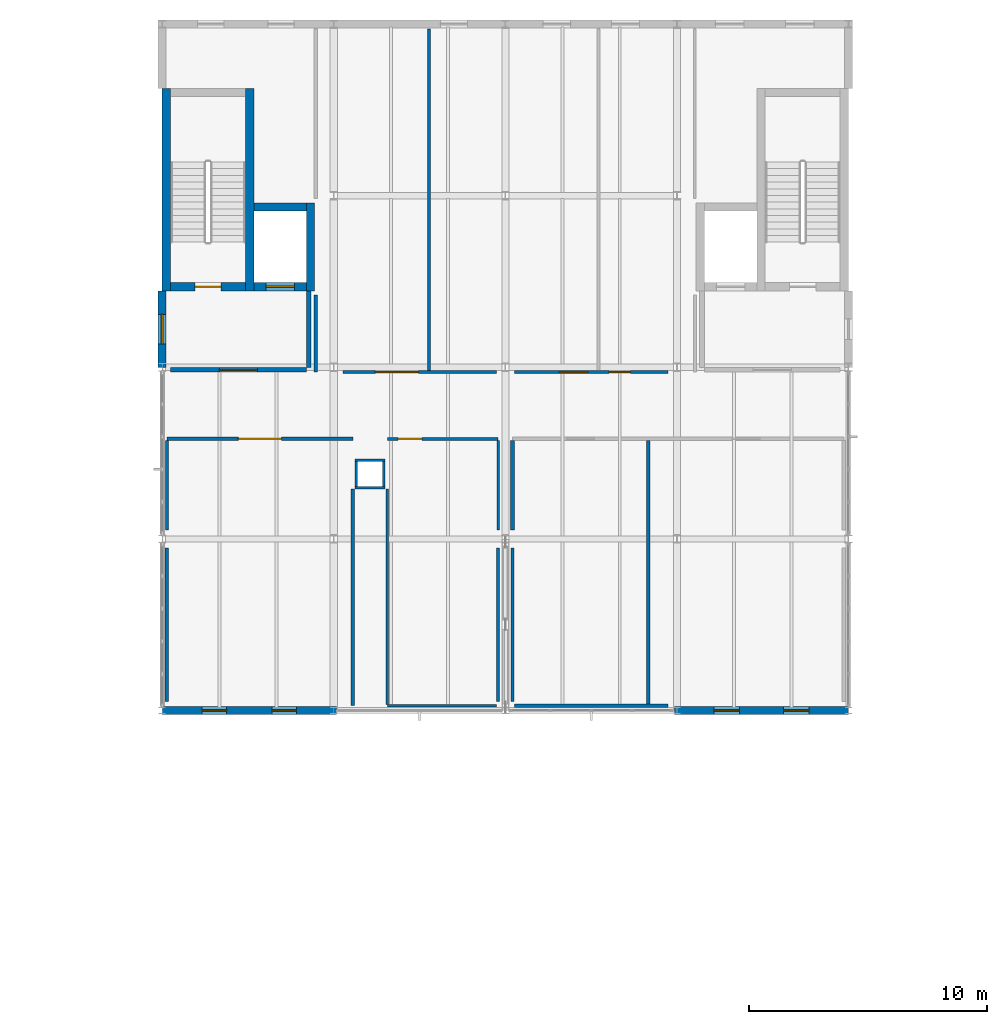
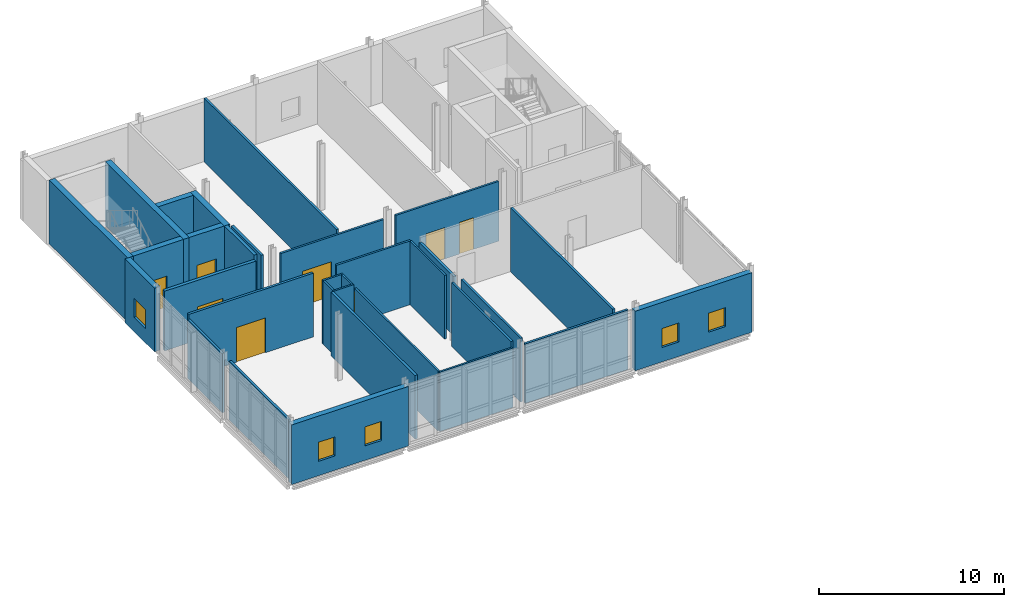
# One storey, part 35 of 43: 32 walls, 8 doors, 5 windows, 13 openings.
"""IFC4 building model written with IfcOpenShell, lengths in metres."""

import ifcopenshell
import ifcopenshell.guid

model = None  # the IFC model being written
_history = None  # IfcOwnerHistory: only IFC2X3 demands one
_inside = {}  # id of a spatial element -> (the spatial element, [elements in it])
_under = {}  # id of a project, library or spatial element -> (it, [spatial elements below it])
_declared = {}  # id of a project -> (the project, [libraries it declares])
_typed = {}  # id of a type object -> (the type object, [elements of that type])
_made_of = {}  # id of a material, layer set ... -> (it, [elements and type objects made of it])


def new_model(schema):
    """Start an empty IFC model of exactly this schema.

    Asked for "IFC4X3", IfcOpenShell would pick the latest addendum, in which some entities
    have other attributes; the version numbers below select the first issue.
    IFC2X3 requires an IfcOwnerHistory on every rooted entity: one is made here for all.
    """
    global model, _history
    if schema == "IFC4X3":
        model = ifcopenshell.file(schema_version=(4, 3, 0, 0))
    else:
        model = ifcopenshell.file(schema=schema)
    _inside.clear()
    _under.clear()
    _declared.clear()
    _typed.clear()
    _made_of.clear()
    _history = None
    if model.schema == "IFC2X3":
        org = make("IfcOrganization", Name="unknown")
        user = make(
            "IfcPersonAndOrganization",
            ThePerson=make("IfcPerson", FamilyName="unknown"),
            TheOrganization=org,
        )
        app = make(
            "IfcApplication",
            ApplicationDeveloper=org,
            Version="unknown",
            ApplicationFullName="unknown",
            ApplicationIdentifier="unknown",
        )
        _history = make(
            "IfcOwnerHistory",
            OwningUser=user,
            OwningApplication=app,
            ChangeAction="ADDED",
            CreationDate=0,
        )
    return model


def make(cls, **values):
    """One entity of the class cls with the attributes given. An attribute that is None is left unset."""
    return model.create_entity(
        cls, **{name: value for name, value in values.items() if value is not None}
    )


def rooted(cls, **values):
    """An entity with a GlobalId (a new one), such as an element, a storey or a relation."""
    return make(cls, GlobalId=ifcopenshell.guid.new(), OwnerHistory=_history, **values)


def si_unit(unit_type, name, prefix=None):
    """IfcSIUnit, for example si_unit("LENGTHUNIT", "METRE", prefix="MILLI")."""
    return make("IfcSIUnit", UnitType=unit_type, Prefix=prefix, Name=name)


def assignment(units):
    """IfcUnitAssignment: the units of a project."""
    return None if units is None else make("IfcUnitAssignment", Units=units)


def point(xyz):
    """IfcCartesianPoint."""
    return None if xyz is None else make("IfcCartesianPoint", Coordinates=xyz)


def direction(xyz):
    """IfcDirection."""
    return None if xyz is None else make("IfcDirection", DirectionRatios=xyz)


def frame(location, z_axis=None, x_axis=None):
    """IfcAxis2Placement3D, a coordinate frame: its origin and axes. An axis left out is left unset."""
    return make(
        "IfcAxis2Placement3D",
        Location=point(location),
        Axis=direction(z_axis),
        RefDirection=direction(x_axis),
    )


def frame_2d(location, x_axis=None):
    """IfcAxis2Placement2D, a coordinate frame in the plane: its origin and x axis."""
    return make(
        "IfcAxis2Placement2D", Location=point(location), RefDirection=direction(x_axis)
    )


def origin():
    """The frame at (0, 0, 0) with its axes left unset."""
    return frame((0.0, 0.0, 0.0))


def place(relative_to, where):
    """IfcLocalPlacement: puts the frame where relative to a parent placement (None: the world)."""
    return make(
        "IfcLocalPlacement", PlacementRelTo=relative_to, RelativePlacement=where
    )


def context(
    kind, dimensions, precision=None, world=None, true_north=None, identifier=None
):
    """IfcGeometricRepresentationContext, for example the 3D "Model" context."""
    return make(
        "IfcGeometricRepresentationContext",
        ContextIdentifier=identifier,
        ContextType=kind,
        CoordinateSpaceDimension=dimensions,
        Precision=precision,
        WorldCoordinateSystem=world,
        TrueNorth=true_north,
    )


def subcontext(parent, identifier, kind, view, scale=None):
    """IfcGeometricRepresentationSubContext, for example "Body" below "Model"."""
    return make(
        "IfcGeometricRepresentationSubContext",
        ContextIdentifier=identifier,
        ContextType=kind,
        ParentContext=parent,
        TargetScale=scale,
        TargetView=view,
    )


def project(units=None, contexts=None):
    """IfcProject with its units and contexts."""
    return rooted(
        "IfcProject",
        Name="project",
        RepresentationContexts=contexts,
        UnitsInContext=assignment(units),
    )


def spatial(cls, under=None, at=None, **own):
    """A site, building, storey or space (cls), placed at a placement, below another one or the project."""
    s = rooted(cls, ObjectPlacement=at, **own)
    if under is not None:
        _under.setdefault(under.id(), (under, []))[1].append(s)
    return s


def profile(cls, at=None, kind="AREA", **sizes):
    """A parametric profile (cls). Its sizes go by their IFC names, for example OverallWidth=200.0."""
    return make(cls, ProfileType=kind, Position=at, **sizes)


def rectangle(**sizes):
    """IfcRectangleProfileDef."""
    return profile("IfcRectangleProfileDef", **sizes)


def extrude(swept, where, along, depth):
    """IfcExtrudedAreaSolid: the profile swept, set in the frame where, extruded along a direction by depth."""
    return make(
        "IfcExtrudedAreaSolid",
        SweptArea=swept,
        Position=where,
        ExtrudedDirection=direction(along),
        Depth=depth,
    )


def shape(context_of_items, identifier, shape_type, items):
    """IfcShapeRepresentation: the items that make up one representation, for example the "Body"."""
    return make(
        "IfcShapeRepresentation",
        ContextOfItems=context_of_items,
        RepresentationIdentifier=identifier,
        RepresentationType=shape_type,
        Items=items,
    )


def material(Name=None, Category=None):
    """IfcMaterial."""
    return make("IfcMaterial", Name=Name, Category=Category)


def layer(
    of_material, thickness, ventilated=None, Name=None, Category=None, Priority=None
):
    """IfcMaterialLayer: one layer of a wall or slab, of a material (None: an air gap)."""
    return make(
        "IfcMaterialLayer",
        Material=of_material,
        LayerThickness=thickness,
        IsVentilated=ventilated,
        Name=Name,
        Category=Category,
        Priority=Priority,
    )


def layer_set(layers, Name=None):
    """IfcMaterialLayerSet."""
    return make("IfcMaterialLayerSet", MaterialLayers=layers, LayerSetName=Name)


def made_of(thing, what):
    """Note that an element or type object is made of a material, layer set ...; save() writes the relation."""
    if what is not None:
        _made_of.setdefault(what.id(), (what, []))[1].append(thing)
    return thing


def type_object(cls, material=None, **own):
    """A type object (cls), such as IfcWallType, which elements share."""
    return made_of(rooted(cls, **own), material)


def element(
    cls,
    number,
    at=None,
    inside=None,
    cuts=None,
    type_object=None,
    material=None,
    context=None,
    identifier="Body",
    shape_type=None,
    held_by="IfcProductDefinitionShape",
    body=None,
    shapes=None,
    **own,
):
    """One element of the class cls, such as IfcWall. Its Tag is "e" and its number.

    at: its placement. inside: the storey or other place that contains it. cuts: it is an
    opening in that element (IfcRelVoidsElement). A single representation is given by context,
    identifier, shape_type and body (its items); several are given by shapes. held_by: the class
    of the entity that holds the representations. save() writes the other relations.
    """
    e = rooted(cls, Tag="e%d" % number, ObjectPlacement=at, **own)
    if body is not None:
        shapes = [shape(context, identifier, shape_type, body)]
    if shapes is not None:
        e.Representation = make(held_by, Representations=shapes)
    if inside is not None:
        _inside.setdefault(inside.id(), (inside, []))[1].append(e)
    if cuts is not None:
        rooted(
            "IfcRelVoidsElement", RelatingBuildingElement=cuts, RelatedOpeningElement=e
        )
    if type_object is not None:
        _typed.setdefault(type_object.id(), (type_object, []))[1].append(e)
    return made_of(e, material)


def fill(opening, filler):
    """IfcRelFillsElement: the door or window that sits in an opening."""
    return rooted(
        "IfcRelFillsElement",
        RelatingOpeningElement=opening,
        RelatedBuildingElement=filler,
    )


def aggregate(whole, parts):
    """IfcRelAggregates: a whole, such as a stair, and the parts it consists of."""
    return rooted("IfcRelAggregates", RelatingObject=whole, RelatedObjects=parts)


def save(model, path):
    """Write the relations noted so far, then the file.

    IfcRelAggregates (storeys below a building ...), IfcRelContainedInSpatialStructure (elements
    in a storey), IfcRelDefinesByType, IfcRelAssociatesMaterial and IfcRelDeclares: one each for
    every whole, place, type object, material and project.
    """
    for whole, parts in _under.values():
        aggregate(whole, parts)
    for where, things in _inside.values():
        rooted(
            "IfcRelContainedInSpatialStructure",
            RelatedElements=things,
            RelatingStructure=where,
        )
    for kind, things in _typed.values():
        rooted("IfcRelDefinesByType", RelatedObjects=things, RelatingType=kind)
    for what, things in _made_of.values():
        rooted("IfcRelAssociatesMaterial", RelatedObjects=things, RelatingMaterial=what)
    for by, libraries in _declared.values():
        rooted("IfcRelDeclares", RelatingContext=by, RelatedDefinitions=libraries)
    model.write(path)


model = new_model("IFC4")

# Units and contexts
model_context = context("Model", 3, precision=1e-05, world=origin(), true_north=direction((0.0, 1.0)))
body_context = subcontext(model_context, "Body", "Model", "MODEL_VIEW")
ifc_project = project(units=[si_unit("LENGTHUNIT", "METRE"), si_unit("AREAUNIT", "SQUARE_METRE"), si_unit("VOLUMEUNIT", "CUBIC_METRE"), si_unit("PLANEANGLEUNIT", "RADIAN"), si_unit("MASSUNIT", "GRAM", prefix="KILO")], contexts=[model_context])

# Site, building, storey
site_placement = place(None, origin())
site = spatial("IfcSite", under=ifc_project, at=site_placement, CompositionType="ELEMENT")
building_placement = place(site_placement, origin())
building = spatial("IfcBuilding", under=site, at=building_placement, Name="Zarrinpeak Specialist Clinic", CompositionType="ELEMENT")
storey_placement = place(building_placement, frame((0.0, 0.0, 18.39990234375)))
storey = spatial("IfcBuildingStorey", under=building, at=storey_placement, Name="L04", CompositionType="ELEMENT", Elevation=18.39990234375)

# Wall, opening, door
ifc_material_1 = material(Name="Concrete C40/50", Category="concrete")
ifc_layer_1 = layer(ifc_material_1, 0.35009765625)
ifc_layer_set_1 = layer_set([ifc_layer_1], Name="Concrete C40/50")
wall_type_1 = type_object("IfcWallType", Name="WL-CR350", PredefinedType="SHEAR", material=ifc_layer_set_1)
wall_1_placement = place(storey_placement, frame((36.35009765625, 106.97509765625, 0.0), z_axis=(0.0, 0.0, 1.0), x_axis=(1.0, 0.0, 0.0)))
wall_1 = element("IfcWall", 1, at=wall_1_placement, inside=storey, type_object=wall_type_1, Name="L04 Core C11 Shear Wall STS", PredefinedType="SHEAR", context=body_context, shape_type="SweptSolid", body=[
    extrude(rectangle(XDim=3.14990234375, YDim=0.35009765625, at=frame_2d((1.574951171875, 0.0))), origin(), (0.0, 0.0, 1.0), 4.215087890625),
])
opening_1_placement = place(wall_1_placement, frame((1.02490234375, 0.0, 0.0)))
opening_1 = element("IfcOpeningElement", 2, at=opening_1_placement, cuts=wall_1, Name="Opening D-S02", PredefinedType="OPENING", context=body_context, shape_type="SweptSolid", body=[
    extrude(rectangle(XDim=1.10009765625, YDim=2.14990234375, at=frame_2d((0.550048828125, 1.074951171875))), frame((0.0, 0.18505859375, 0.0), z_axis=(0.0, -1.0, 0.0), x_axis=(1.0, 0.0, 0.0)), (0.0, 0.0, 1.0), 0.3701171875),
])
ifc_material_2 = material(Name="Powder-Coated Galvanised Steel", Category="steel")
door_type_1 = type_object("IfcDoorType", Name="DR-FD110", OperationType="SINGLE_SWING_RIGHT", PredefinedType="DOOR", material=ifc_material_2)
door_1_placement = place(opening_1_placement, origin())
door_1 = element("IfcDoor", 3, at=door_1_placement, inside=storey, type_object=door_type_1, Name="L04 Protected Stair ST-11 Fire Door", OperationType="SINGLE_SWING_RIGHT", OverallHeight=2.14990234375, OverallWidth=1.10009765625, PredefinedType="DOOR", context=body_context, shape_type="SweptSolid", body=[
    extrude(rectangle(XDim=1.10009765625, YDim=2.14990234375, at=frame_2d((0.550048828125, 1.074951171875))), frame((0.0, 0.02490234375, 0.0), z_axis=(0.0, -1.0, 0.0), x_axis=(1.0, 0.0, 0.0)), (0.0, 0.0, 1.0), 0.050048828125),
])
fill(opening_1, door_1)

# Walls
for number, where, z_axis, x_axis, name in (
    (4, (36.175048828125, 106.800048828125, 0.0), (0.0, 0.0, 1.0), (0.0, 1.0, 0.0), "L04 Core C11 Shear Wall STW"),
    (5, (39.675048828125, 106.800048828125, 0.0), (0.0, 0.0, 1.0), (0.0, 1.0, 0.0), "L04 Core C11 Shear Wall STE"),
):
    element("IfcWall", number, at=place(storey_placement, frame(where, z_axis=z_axis, x_axis=x_axis)), inside=storey, type_object=wall_type_1, Name=name, PredefinedType="SHEAR", context=body_context, shape_type="SweptSolid", body=[
        extrude(rectangle(XDim=8.5, YDim=0.35009765625, at=frame_2d((4.25, 0.0))), origin(), (0.0, 0.0, 1.0), 4.215087890625),
    ])

# Wall, opening, door
wall_2_placement = place(storey_placement, frame((39.85009765625, 106.97509765625, 0.0), z_axis=(0.0, 0.0, 1.0), x_axis=(1.0, 0.0, 0.0)))
wall_2 = element("IfcWall", 6, at=wall_2_placement, inside=storey, type_object=wall_type_1, Name="L04 Lift LF-P1 Shaft Wall LFS", PredefinedType="SHEAR", context=body_context, shape_type="SweptSolid", body=[
    extrude(rectangle(XDim=2.199951171875, YDim=0.35009765625, at=frame_2d((1.10009765625, 0.0))), origin(), (0.0, 0.0, 1.0), 4.215087890625),
])
opening_2_placement = place(wall_2_placement, frame((0.5, 0.0, 0.0)))
opening_2 = element("IfcOpeningElement", 7, at=opening_2_placement, cuts=wall_2, Name="Opening LD-02", PredefinedType="OPENING", context=body_context, shape_type="SweptSolid", body=[
    extrude(rectangle(XDim=1.199951171875, YDim=2.199951171875, at=frame_2d((0.60009765625, 1.10009765625))), frame((0.0, 0.18505859375, 0.0), z_axis=(0.0, -1.0, 0.0), x_axis=(1.0, 0.0, 0.0)), (0.0, 0.0, 1.0), 0.3701171875),
])
door_type_2 = type_object("IfcDoorType", Name="DR-LD120", OperationType="SLIDING_TO_RIGHT", PredefinedType="DOOR", material=ifc_material_2)
door_2_placement = place(opening_2_placement, origin())
door_2 = element("IfcDoor", 8, at=door_2_placement, inside=storey, type_object=door_type_2, Name="L04 Lift LF-P1 Sliding Landing Door", OperationType="SLIDING_TO_RIGHT", OverallHeight=2.199951171875, OverallWidth=1.199951171875, PredefinedType="DOOR", context=body_context, shape_type="SweptSolid", body=[
    extrude(rectangle(XDim=1.199951171875, YDim=2.199951171875, at=frame_2d((0.60009765625, 1.10009765625))), frame((0.0, 0.02490234375, 0.0), z_axis=(0.0, -1.0, 0.0), x_axis=(1.0, 0.0, 0.0)), (0.0, 0.0, 1.0), 0.050048828125),
])
fill(opening_2, door_2)

# Walls
wall_3_placement = place(storey_placement, frame((39.85009765625, 110.324951171875, 0.0), z_axis=(0.0, 0.0, 1.0), x_axis=(1.0, 0.0, 0.0)))
element("IfcWall", 9, at=wall_3_placement, inside=storey, type_object=wall_type_1, Name="L04 Lift LF-P1 Shaft Wall LFN", PredefinedType="SHEAR", context=body_context, shape_type="SweptSolid", body=[
    extrude(rectangle(XDim=2.199951171875, YDim=0.35009765625, at=frame_2d((1.10009765625, 0.0))), origin(), (0.0, 0.0, 1.0), 4.215087890625),
])
wall_4_placement = place(storey_placement, frame((42.22509765625, 106.800048828125, 0.0), z_axis=(0.0, 0.0, 1.0), x_axis=(0.0, 1.0, 0.0)))
element("IfcWall", 10, at=wall_4_placement, inside=storey, type_object=wall_type_1, Name="L04 Lift LF-P1 Shaft Wall LFE", PredefinedType="SHEAR", context=body_context, shape_type="SweptSolid", body=[
    extrude(rectangle(XDim=3.699951171875, YDim=0.35009765625, at=frame_2d((1.85009765625, 0.0))), origin(), (0.0, 0.0, 1.0), 4.215087890625),
])

# Wall, openings, windows
ifc_material_3 = material(Name="Precast concrete C40/50", Category="concrete")
ifc_layer_2 = layer(ifc_material_3, 0.340087890625)
ifc_layer_set_2 = layer_set([ifc_layer_2], Name="Precast concrete C40/50")
wall_type_2 = type_object("IfcWallType", Name="WL-EW340", PredefinedType="STANDARD", material=ifc_layer_set_2)
wall_5_placement = place(storey_placement, frame((36.0, 89.199951171875, 0.0), z_axis=(0.0, 0.0, 1.0), x_axis=(1.0, 0.0, 0.0)))
wall_5 = element("IfcWall", 11, at=wall_5_placement, inside=storey, type_object=wall_type_2, Name="L04 V6 Exterior GRC Wall EW-L04-V6-0311", PredefinedType="STANDARD", context=body_context, shape_type="SweptSolid", body=[
    extrude(rectangle(XDim=7.31005859375, YDim=0.340087890625, at=frame_2d((3.655029296875, 0.0))), origin(), (0.0, 0.0, 1.0), 3.940185546875),
])
opening_3_placement = place(wall_5_placement, frame((1.677978515625, 0.0, 0.949951171875)))
opening_3 = element("IfcOpeningElement", 12, at=opening_3_placement, cuts=wall_5, Name="Opening WS-06", PredefinedType="OPENING", context=body_context, shape_type="SweptSolid", body=[
    extrude(rectangle(XDim=1.030029296875, YDim=1.260009765625, at=frame_2d((0.51513671875, 0.6298828125))), frame((0.0, 0.18017578125, 0.0), z_axis=(0.0, -1.0, 0.0), x_axis=(1.0, 0.0, 0.0)), (0.0, 0.0, 1.0), 0.360107421875),
])
opening_4_placement = place(wall_5_placement, frame((4.60205078125, 0.0, 0.949951171875)))
opening_4 = element("IfcOpeningElement", 13, at=opening_4_placement, cuts=wall_5, Name="Opening WS-06", PredefinedType="OPENING", context=body_context, shape_type="SweptSolid", body=[
    extrude(rectangle(XDim=1.030029296875, YDim=1.260009765625, at=frame_2d((0.51513671875, 0.6298828125))), frame((0.0, 0.18017578125, 0.0), z_axis=(0.0, -1.0, 0.0), x_axis=(1.0, 0.0, 0.0)), (0.0, 0.0, 1.0), 0.360107421875),
])
ifc_material_4 = material(Name="Thermally Broken Aluminium and Low-E Glazing", Category="aluminium")
window_type_1 = type_object("IfcWindowType", Name="WN-SP06", PartitioningType="SINGLE_PANEL", PredefinedType="WINDOW", material=ifc_material_4)
window_1_placement = place(opening_3_placement, origin())
window_1 = element("IfcWindow", 14, at=window_1_placement, inside=storey, type_object=window_type_1, Name="L04 Modular Facade Window WN-L04-0347", OverallHeight=1.260009765625, OverallWidth=1.030029296875, PartitioningType="SINGLE_PANEL", PredefinedType="WINDOW", context=body_context, shape_type="SweptSolid", body=[
    extrude(rectangle(XDim=1.030029296875, YDim=1.260009765625, at=frame_2d((0.51513671875, 0.6298828125))), frame((0.0, 0.030029296875, 0.0), z_axis=(0.0, -1.0, 0.0), x_axis=(1.0, 0.0, 0.0)), (0.0, 0.0, 1.0), 0.06005859375),
])
fill(opening_3, window_1)
window_2_placement = place(opening_4_placement, origin())
window_2 = element("IfcWindow", 15, at=window_2_placement, inside=storey, type_object=window_type_1, Name="L04 Modular Facade Window WN-L04-0348", OverallHeight=1.260009765625, OverallWidth=1.030029296875, PartitioningType="SINGLE_PANEL", PredefinedType="WINDOW", context=body_context, shape_type="SweptSolid", body=[
    extrude(rectangle(XDim=1.030029296875, YDim=1.260009765625, at=frame_2d((0.51513671875, 0.6298828125))), frame((0.0, 0.030029296875, 0.0), z_axis=(0.0, -1.0, 0.0), x_axis=(1.0, 0.0, 0.0)), (0.0, 0.0, 1.0), 0.06005859375),
])
fill(opening_4, window_2)

wall_6_placement = place(storey_placement, frame((57.489990234375, 89.199951171875, 0.0), z_axis=(0.0, 0.0, 1.0), x_axis=(1.0, 0.0, 0.0)))
wall_6 = element("IfcWall", 16, at=wall_6_placement, inside=storey, type_object=wall_type_2, Name="L04 V6 Exterior GRC Wall EW-L04-V6-0312", PredefinedType="STANDARD", context=body_context, shape_type="SweptSolid", body=[
    extrude(rectangle(XDim=7.31005859375, YDim=0.340087890625, at=frame_2d((3.655029296875, 0.0))), origin(), (0.0, 0.0, 1.0), 3.940185546875),
])
opening_5_placement = place(wall_6_placement, frame((1.660888671875, 0.0, 0.949951171875)))
opening_5 = element("IfcOpeningElement", 17, at=opening_5_placement, cuts=wall_6, Name="Opening WS-07", PredefinedType="OPENING", context=body_context, shape_type="SweptSolid", body=[
    extrude(rectangle(XDim=1.06396484375, YDim=1.260009765625, at=frame_2d((0.531982421875, 0.6298828125))), frame((0.0, 0.18017578125, 0.0), z_axis=(0.0, -1.0, 0.0), x_axis=(1.0, 0.0, 0.0)), (0.0, 0.0, 1.0), 0.360107421875),
])
opening_6_placement = place(wall_6_placement, frame((4.5849609375, 0.0, 0.949951171875)))
opening_6 = element("IfcOpeningElement", 18, at=opening_6_placement, cuts=wall_6, Name="Opening WS-07", PredefinedType="OPENING", context=body_context, shape_type="SweptSolid", body=[
    extrude(rectangle(XDim=1.06396484375, YDim=1.260009765625, at=frame_2d((0.531982421875, 0.6298828125))), frame((0.0, 0.18017578125, 0.0), z_axis=(0.0, -1.0, 0.0), x_axis=(1.0, 0.0, 0.0)), (0.0, 0.0, 1.0), 0.360107421875),
])
window_type_2 = type_object("IfcWindowType", Name="WN-SP07", PartitioningType="SINGLE_PANEL", PredefinedType="WINDOW", material=ifc_material_4)
window_3_placement = place(opening_5_placement, origin())
window_3 = element("IfcWindow", 19, at=window_3_placement, inside=storey, type_object=window_type_2, Name="L04 Modular Facade Window WN-L04-0349", OverallHeight=1.260009765625, OverallWidth=1.06396484375, PartitioningType="SINGLE_PANEL", PredefinedType="WINDOW", context=body_context, shape_type="SweptSolid", body=[
    extrude(rectangle(XDim=1.06396484375, YDim=1.260009765625, at=frame_2d((0.531982421875, 0.6298828125))), frame((0.0, 0.030029296875, 0.0), z_axis=(0.0, -1.0, 0.0), x_axis=(1.0, 0.0, 0.0)), (0.0, 0.0, 1.0), 0.06005859375),
])
fill(opening_5, window_3)
window_4_placement = place(opening_6_placement, origin())
window_4 = element("IfcWindow", 20, at=window_4_placement, inside=storey, type_object=window_type_2, Name="L04 Modular Facade Window WN-L04-0350", OverallHeight=1.260009765625, OverallWidth=1.06396484375, PartitioningType="SINGLE_PANEL", PredefinedType="WINDOW", context=body_context, shape_type="SweptSolid", body=[
    extrude(rectangle(XDim=1.06396484375, YDim=1.260009765625, at=frame_2d((0.531982421875, 0.6298828125))), frame((0.0, 0.030029296875, 0.0), z_axis=(0.0, -1.0, 0.0), x_axis=(1.0, 0.0, 0.0)), (0.0, 0.0, 1.0), 0.06005859375),
])
fill(opening_6, window_4)

# Wall, opening, window
wall_7_placement = place(storey_placement, frame((36.0, 106.800048828125, 0.0), z_axis=(0.0, 0.0, 1.0), x_axis=(0.0, -1.0, 0.0)))
wall_7 = element("IfcWall", 21, at=wall_7_placement, inside=storey, type_object=wall_type_2, Name="L04 V6 Exterior GRC Wall EW-L04-V6-0317", PredefinedType="STANDARD", context=body_context, shape_type="SweptSolid", body=[
    extrude(rectangle(XDim=3.199951171875, YDim=0.340087890625, at=frame_2d((1.60009765625, 0.0))), origin(), (0.0, 0.0, 1.0), 4.215087890625),
])
opening_7_placement = place(wall_7_placement, frame((0.98291015625, 0.0, 0.949951171875)))
opening_7 = element("IfcOpeningElement", 22, at=opening_7_placement, cuts=wall_7, Name="Opening WS-12", PredefinedType="OPENING", context=body_context, shape_type="SweptSolid", body=[
    extrude(rectangle(XDim=1.23388671875, YDim=1.260009765625, at=frame_2d((0.616943359375, 0.6298828125))), frame((0.0, 0.18017578125, 0.0), z_axis=(0.0, -1.0, 0.0), x_axis=(1.0, 0.0, 0.0)), (0.0, 0.0, 1.0), 0.360107421875),
])
window_type_3 = type_object("IfcWindowType", Name="WN-SP12", PartitioningType="SINGLE_PANEL", PredefinedType="WINDOW", material=ifc_material_4)
window_5_placement = place(opening_7_placement, origin())
window_5 = element("IfcWindow", 23, at=window_5_placement, inside=storey, type_object=window_type_3, Name="L04 Modular Facade Window WN-L04-0358", OverallHeight=1.260009765625, OverallWidth=1.23388671875, PartitioningType="SINGLE_PANEL", PredefinedType="WINDOW", context=body_context, shape_type="SweptSolid", body=[
    extrude(rectangle(XDim=1.23388671875, YDim=1.260009765625, at=frame_2d((0.616943359375, 0.6298828125))), frame((0.0, 0.030029296875, 0.0), z_axis=(0.0, -1.0, 0.0), x_axis=(1.0, 0.0, 0.0)), (0.0, 0.0, 1.0), 0.06005859375),
])
fill(opening_7, window_5)

# Walls
ifc_material_5 = material(Name="Sanitary Service Chase Plumbing Wall", Category="gypsum")
ifc_layer_3 = layer(ifc_material_5, 0.110107421875)
ifc_layer_set_3 = layer_set([ifc_layer_3], Name="Sanitary Service Chase Plumbing Wall")
wall_type_3 = type_object("IfcWallType", Name="WL-IW110", PredefinedType="PARTITIONING", material=ifc_layer_set_3)
for number, where, z_axis, x_axis, name in (
    (24, (44.090087890625, 98.544921875, 0.0), (0.0, 0.0, 1.0), (1.0, 0.0, 0.0), "L04 V6 Enclosed MEP Service Riser Wall S"),
    (25, (44.090087890625, 99.705078125, 0.0), (0.0, 0.0, 1.0), (1.0, 0.0, 0.0), "L04 V6 Enclosed MEP Service Riser Wall N"),
):
    element("IfcWall", number, at=place(storey_placement, frame(where, z_axis=z_axis, x_axis=x_axis)), inside=storey, type_object=wall_type_3, Name=name, PredefinedType="PARTITIONING", context=body_context, shape_type="SweptSolid", body=[
        extrude(rectangle(XDim=1.27001953125, YDim=0.110107421875, at=frame_2d((0.635009765625, 0.0))), origin(), (0.0, 0.0, 1.0), 4.215087890625),
    ])
for number, where, z_axis, x_axis, name in (
    (26, (44.14501953125, 98.60009765625, 0.0), (0.0, 0.0, 1.0), (0.0, 1.0, 0.0), "L04 V6 Enclosed MEP Service Riser Wall W"),
    (27, (45.304931640625, 98.60009765625, 0.0), (0.0, 0.0, 1.0), (0.0, 1.0, 0.0), "L04 V6 Enclosed MEP Service Riser Wall E"),
):
    element("IfcWall", number, at=place(storey_placement, frame(where, z_axis=z_axis, x_axis=x_axis)), inside=storey, type_object=wall_type_3, Name=name, PredefinedType="PARTITIONING", context=body_context, shape_type="SweptSolid", body=[
        extrude(rectangle(XDim=1.0498046875, YDim=0.110107421875, at=frame_2d((0.52490234375, 0.0))), origin(), (0.0, 0.0, 1.0), 4.215087890625),
    ])
wall_8_placement = place(storey_placement, frame((45.449951171875, 89.39990234375, 0.0), z_axis=(0.0, 0.0, 1.0), x_axis=(1.0, 0.0, 0.0)))
element("IfcWall", 28, at=wall_8_placement, inside=storey, type_object=wall_type_3, Name="L04 Accessible Faculty WC Partition", PredefinedType="PARTITIONING", context=body_context, shape_type="SweptSolid", body=[
    extrude(rectangle(XDim=4.570068359375, YDim=0.110107421875, at=frame_2d((2.28515625, 0.0))), origin(), (0.0, 0.0, 1.0), 3.940185546875),
])
wall_9_placement = place(storey_placement, frame((45.449951171875, 89.455078125, 0.0), z_axis=(0.0, 0.0, 1.0), x_axis=(0.0, 1.0, 0.0)))
element("IfcWall", 29, at=wall_9_placement, inside=storey, type_object=wall_type_3, Name="L04 Accessible Faculty WC Dividing Partition", PredefinedType="PARTITIONING", context=body_context, shape_type="SweptSolid", body=[
    extrude(rectangle(XDim=9.034912109375, YDim=0.110107421875, at=frame_2d((4.517578125, 0.0))), origin(), (0.0, 0.0, 1.0), 3.960205078125),
])
wall_10_placement = place(storey_placement, frame((50.10009765625, 96.780029296875, 0.0), z_axis=(0.0, 0.0, 1.0), x_axis=(0.0, 1.0, 0.0)))
element("IfcWall", 30, at=wall_10_placement, inside=storey, type_object=wall_type_3, Name="L04 Accessible Faculty WC Dividing Partition", PredefinedType="PARTITIONING", context=body_context, shape_type="SweptSolid", body=[
    extrude(rectangle(XDim=3.757568359375, YDim=0.110107421875, at=frame_2d((1.87890625, 0.0))), origin(), (0.0, 0.0, 1.0), 4.215087890625),
])

# Wall, opening, door
ifc_material_6 = material(Name="Moisture-Resistant Wet-Room Partition", Category="gypsum")
ifc_layer_4 = layer(ifc_material_6, 0.125)
ifc_layer_set_4 = layer_set([ifc_layer_4], Name="Moisture-Resistant Wet-Room Partition")
wall_type_4 = type_object("IfcWallType", Name="WL-IW125W", PredefinedType="PARTITIONING", material=ifc_layer_set_4)
wall_11_placement = place(storey_placement, frame((45.449951171875, 100.60009765625, 0.0), z_axis=(0.0, 0.0, 1.0), x_axis=(1.0, 0.0, 0.0)))
wall_11 = element("IfcWall", 31, at=wall_11_placement, inside=storey, type_object=wall_type_4, Name="L04 Accessible Faculty WC Partition", PredefinedType="PARTITIONING", context=body_context, shape_type="SweptSolid", body=[
    extrude(rectangle(XDim=4.650146484375, YDim=0.125, at=frame_2d((2.3251953125, 0.0))), origin(), (0.0, 0.0, 1.0), 4.215087890625),
])
opening_8_placement = place(wall_11_placement, frame((0.449951171875, 0.0, 0.0)))
opening_8 = element("IfcOpeningElement", 32, at=opening_8_placement, cuts=wall_11, Name="Opening D-W02", PredefinedType="OPENING", context=body_context, shape_type="SweptSolid", body=[
    extrude(rectangle(XDim=1.0, YDim=2.10009765625, at=frame_2d((0.5, 1.050048828125))), frame((0.0, 0.072509765625, 0.0), z_axis=(0.0, -1.0, 0.0), x_axis=(1.0, 0.0, 0.0)), (0.0, 0.0, 1.0), 0.14501953125),
])
door_type_3 = type_object("IfcDoorType", Name="DR-AWC100", OperationType="SLIDING_TO_LEFT", PredefinedType="DOOR", material=ifc_material_2)
door_3_placement = place(opening_8_placement, origin())
door_3 = element("IfcDoor", 33, at=door_3_placement, inside=storey, type_object=door_type_3, Name="L04 Accessible Faculty WC Door", OperationType="SLIDING_TO_LEFT", OverallHeight=2.10009765625, OverallWidth=1.0, PredefinedType="DOOR", context=body_context, shape_type="SweptSolid", body=[
    extrude(rectangle(XDim=1.0, YDim=2.10009765625, at=frame_2d((0.5, 1.050048828125))), frame((0.0, 0.02490234375, 0.0), z_axis=(0.0, -1.0, 0.0), x_axis=(1.0, 0.0, 0.0)), (0.0, 0.0, 1.0), 0.050048828125),
])
fill(opening_8, door_3)

wall_12_placement = place(storey_placement, frame((43.580078125, 103.39990234375, 0.0), z_axis=(0.0, 0.0, 1.0), x_axis=(1.0, 0.0, 0.0)))
wall_12 = element("IfcWall", 34, at=wall_12_placement, inside=storey, type_object=wall_type_4, Name="L04 Student WC Partition", PredefinedType="PARTITIONING", context=body_context, shape_type="SweptSolid", body=[
    extrude(rectangle(XDim=6.43994140625, YDim=0.125, at=frame_2d((3.219970703125, 0.0))), origin(), (0.0, 0.0, 1.0), 3.9501953125),
])
opening_9_placement = place(wall_12_placement, frame((1.3701171875, 0.0, 0.0)))
opening_9 = element("IfcOpeningElement", 35, at=opening_9_placement, cuts=wall_12, Name="Opening D-H01", PredefinedType="OPENING", context=body_context, shape_type="SweptSolid", body=[
    extrude(rectangle(XDim=1.800048828125, YDim=2.300048828125, at=frame_2d((0.89990234375, 1.14990234375))), frame((0.0, 0.072509765625, 0.0), z_axis=(0.0, -1.0, 0.0), x_axis=(1.0, 0.0, 0.0)), (0.0, 0.0, 1.0), 0.14501953125),
])
door_type_4 = type_object("IfcDoorType", Name="DR-HAL180", OperationType="DOUBLE_DOOR_SINGLE_SWING", PredefinedType="DOOR", material=ifc_material_2)
door_4_placement = place(opening_9_placement, frame((1.800048828125, 0.0, 0.0), z_axis=(0.0, 0.0, 1.0), x_axis=(-1.0, 0.0, 0.0)))
door_4 = element("IfcDoor", 36, at=door_4_placement, inside=storey, type_object=door_type_4, Name="L04 Clinical Residency Seminar Room Door", OperationType="DOUBLE_DOOR_SINGLE_SWING", OverallHeight=2.300048828125, OverallWidth=1.800048828125, PredefinedType="DOOR", context=body_context, shape_type="SweptSolid", body=[
    extrude(rectangle(XDim=1.800048828125, YDim=2.300048828125, at=frame_2d((0.89990234375, 1.14990234375))), frame((0.0, 0.02490234375, 0.0), z_axis=(0.0, -1.0, 0.0), x_axis=(1.0, 0.0, 0.0)), (0.0, 0.0, 1.0), 0.050048828125),
])
fill(opening_9, door_4)

# Wall, openings, doors
wall_13_placement = place(storey_placement, frame((50.780029296875, 103.39990234375, 0.0), z_axis=(0.0, 0.0, 1.0), x_axis=(1.0, 0.0, 0.0)))
wall_13 = element("IfcWall", 37, at=wall_13_placement, inside=storey, type_object=wall_type_4, Name="L04 Student WC Partition", PredefinedType="PARTITIONING", context=body_context, shape_type="SweptSolid", body=[
    extrude(rectangle(XDim=6.43994140625, YDim=0.125, at=frame_2d((3.219970703125, 0.0))), origin(), (0.0, 0.0, 1.0), 3.9501953125),
])
opening_10_placement = place(wall_13_placement, frame((3.969970703125, 0.0, 0.0)))
opening_10 = element("IfcOpeningElement", 38, at=opening_10_placement, cuts=wall_13, Name="Opening D-W01", PredefinedType="OPENING", context=body_context, shape_type="SweptSolid", body=[
    extrude(rectangle(XDim=0.89990234375, YDim=2.10009765625, at=frame_2d((0.449951171875, 1.050048828125))), frame((0.0, 0.072509765625, 0.0), z_axis=(0.0, -1.0, 0.0), x_axis=(1.0, 0.0, 0.0)), (0.0, 0.0, 1.0), 0.14501953125),
])
opening_11_placement = place(wall_13_placement, frame((1.8779296875, 0.0, 0.0)))
opening_11 = element("IfcOpeningElement", 39, at=opening_11_placement, cuts=wall_13, Name="Opening DS-26", PredefinedType="OPENING", context=body_context, shape_type="SweptSolid", body=[
    extrude(rectangle(XDim=1.19189453125, YDim=2.068115234375, at=frame_2d((0.595947265625, 1.0341796875))), frame((0.0, 0.072509765625, 0.0), z_axis=(0.0, -1.0, 0.0), x_axis=(1.0, 0.0, 0.0)), (0.0, 0.0, 1.0), 0.14501953125),
])
door_type_5 = type_object("IfcDoorType", Name="DR-SP26", OperationType="SINGLE_SWING_LEFT", PredefinedType="DOOR", material=ifc_material_2)
door_5_placement = place(opening_11_placement, frame((1.19189453125, 0.0, 0.0), z_axis=(0.0, 0.0, 1.0), x_axis=(-1.0, 0.0, 0.0)))
door_5 = element("IfcDoor", 40, at=door_5_placement, inside=storey, type_object=door_type_5, Name="L04 Specialist Consultation Room 2 Door", OperationType="SINGLE_SWING_LEFT", OverallHeight=2.068115234375, OverallWidth=1.19189453125, PredefinedType="DOOR", context=body_context, shape_type="SweptSolid", body=[
    extrude(rectangle(XDim=1.19189453125, YDim=2.068115234375, at=frame_2d((0.595947265625, 1.0341796875))), frame((0.0, 0.02490234375, 0.0), z_axis=(0.0, -1.0, 0.0), x_axis=(1.0, 0.0, 0.0)), (0.0, 0.0, 1.0), 0.050048828125),
])
fill(opening_11, door_5)
door_type_6 = type_object("IfcDoorType", Name="DR-WC90", OperationType="SINGLE_SWING_RIGHT", PredefinedType="DOOR", material=ifc_material_2)
door_6_placement = place(opening_10_placement, frame((0.89990234375, 0.0, 0.0), z_axis=(0.0, 0.0, 1.0), x_axis=(-1.0, 0.0, 0.0)))
door_6 = element("IfcDoor", 41, at=door_6_placement, inside=storey, type_object=door_type_6, Name="L04 Student WC Door", OperationType="SINGLE_SWING_RIGHT", OverallHeight=2.10009765625, OverallWidth=0.89990234375, PredefinedType="DOOR", context=body_context, shape_type="SweptSolid", body=[
    extrude(rectangle(XDim=0.89990234375, YDim=2.10009765625, at=frame_2d((0.449951171875, 1.050048828125))), frame((0.0, 0.02490234375, 0.0), z_axis=(0.0, -1.0, 0.0), x_axis=(1.0, 0.0, 0.0)), (0.0, 0.0, 1.0), 0.050048828125),
])
fill(opening_10, door_6)

# Walls
wall_14_placement = place(storey_placement, frame((50.10009765625, 89.580078125, 0.0), z_axis=(0.0, 0.0, 1.0), x_axis=(0.0, 1.0, 0.0)))
element("IfcWall", 42, at=wall_14_placement, inside=storey, type_object=wall_type_4, Name="L04 Accessible Faculty WC Dividing Partition", PredefinedType="PARTITIONING", context=body_context, shape_type="SweptSolid", body=[
    extrude(rectangle(XDim=6.43994140625, YDim=0.125, at=frame_2d((3.219970703125, 0.0))), origin(), (0.0, 0.0, 1.0), 4.215087890625),
])
ifc_material_7 = material(Name="Standard Drywall Partition", Category="gypsum")
ifc_layer_5 = layer(ifc_material_7, 0.135009765625)
ifc_layer_set_5 = layer_set([ifc_layer_5], Name="Standard Drywall Partition")
wall_type_5 = type_object("IfcWallType", Name="WL-IW135", PredefinedType="PARTITIONING", material=ifc_layer_set_5)
wall_15_placement = place(storey_placement, frame((50.780029296875, 89.39990234375, 0.0), z_axis=(0.0, 0.0, 1.0), x_axis=(1.0, 0.0, 0.0)))
element("IfcWall", 43, at=wall_15_placement, inside=storey, type_object=wall_type_5, Name="L04 Faculty Academic Offices Partition", PredefinedType="PARTITIONING", context=body_context, shape_type="SweptSolid", body=[
    extrude(rectangle(XDim=6.43994140625, YDim=0.135009765625, at=frame_2d((3.219970703125, 0.0))), origin(), (0.0, 0.0, 1.0), 3.940185546875),
])
wall_16_placement = place(storey_placement, frame((36.199951171875, 96.780029296875, 0.0), z_axis=(0.0, 0.0, 1.0), x_axis=(0.0, 1.0, 0.0)))
element("IfcWall", 44, at=wall_16_placement, inside=storey, type_object=wall_type_5, Name="L04 Medical Reference Digital Library Dividing Partition", PredefinedType="PARTITIONING", context=body_context, shape_type="SweptSolid", body=[
    extrude(rectangle(XDim=3.744873046875, YDim=0.135009765625, at=frame_2d((1.87255859375, 0.0))), origin(), (0.0, 0.0, 1.0), 3.900146484375),
])
wall_17_placement = place(storey_placement, frame((47.199951171875, 103.46240234375, 0.0), z_axis=(0.0, 0.0, 1.0), x_axis=(0.0, 1.0, 0.0)))
element("IfcWall", 45, at=wall_17_placement, inside=storey, type_object=wall_type_5, Name="L04 Clinical Residency Seminar Room Dividing Partition", PredefinedType="PARTITIONING", context=body_context, shape_type="SweptSolid", body=[
    extrude(rectangle(XDim=14.337646484375, YDim=0.135009765625, at=frame_2d((7.1689453125, 0.0))), origin(), (0.0, 0.0, 1.0), 4.215087890625),
])
wall_18_placement = place(storey_placement, frame((50.699951171875, 89.580078125, 0.0), z_axis=(0.0, 0.0, 1.0), x_axis=(0.0, 1.0, 0.0)))
element("IfcWall", 46, at=wall_18_placement, inside=storey, type_object=wall_type_5, Name="L04 Faculty Academic Offices Dividing Partition", PredefinedType="PARTITIONING", context=body_context, shape_type="SweptSolid", body=[
    extrude(rectangle(XDim=6.43994140625, YDim=0.135009765625, at=frame_2d((3.219970703125, 0.0))), origin(), (0.0, 0.0, 1.0), 4.215087890625),
])
ifc_material_8 = material(Name="Acoustic Consultation Stud Partition", Category="gypsum")
ifc_layer_6 = layer(ifc_material_8, 0.14208984375)
ifc_layer_set_6 = layer_set([ifc_layer_6], Name="Acoustic Consultation Stud Partition")
wall_type_6 = type_object("IfcWallType", Name="WL-IW142", PredefinedType="PARTITIONING", material=ifc_layer_set_6)
wall_19_placement = place(storey_placement, frame((36.199951171875, 89.580078125, 0.0), z_axis=(0.0, 0.0, 1.0), x_axis=(0.0, 1.0, 0.0)))
element("IfcWall", 47, at=wall_19_placement, inside=storey, type_object=wall_type_6, Name="L04 Medical Reference Digital Library Dividing Partition", PredefinedType="PARTITIONING", context=body_context, shape_type="SweptSolid", body=[
    extrude(rectangle(XDim=6.43994140625, YDim=0.14208984375, at=frame_2d((3.219970703125, 0.0))), origin(), (0.0, 0.0, 1.0), 3.89013671875),
])
wall_20_placement = place(storey_placement, frame((56.39990234375, 89.467529296875, 0.0), z_axis=(0.0, 0.0, 1.0), x_axis=(0.0, 1.0, 0.0)))
element("IfcWall", 48, at=wall_20_placement, inside=storey, type_object=wall_type_6, Name="L04 Faculty Academic Offices Dividing Partition", PredefinedType="PARTITIONING", context=body_context, shape_type="SweptSolid", body=[
    extrude(rectangle(XDim=11.06494140625, YDim=0.14208984375, at=frame_2d((5.532470703125, 0.0))), origin(), (0.0, 0.0, 1.0), 4.215087890625),
])

# Wall, opening, door
ifc_material_9 = material(Name="Insulated Clinical Gypsum Stud Partition", Category="gypsum")
ifc_layer_7 = layer(ifc_material_9, 0.14990234375)
ifc_layer_set_7 = layer_set([ifc_layer_7], Name="Insulated Clinical Gypsum Stud Partition")
wall_type_7 = type_object("IfcWallType", Name="WL-IW150", PredefinedType="PARTITIONING", material=ifc_layer_set_7)
wall_21_placement = place(storey_placement, frame((36.199951171875, 100.60009765625, 0.0), z_axis=(0.0, 0.0, 1.0), x_axis=(1.0, 0.0, 0.0)))
wall_21 = element("IfcWall", 49, at=wall_21_placement, inside=storey, type_object=wall_type_7, Name="L04 Medical Reference Digital Library Partition", PredefinedType="PARTITIONING", context=body_context, shape_type="SweptSolid", body=[
    extrude(rectangle(XDim=7.800048828125, YDim=0.14990234375, at=frame_2d((3.89990234375, 0.0))), origin(), (0.0, 0.0, 1.0), 4.215087890625),
])
opening_12_placement = place(wall_21_placement, frame((3.0, 0.0, 0.0)))
opening_12 = element("IfcOpeningElement", 50, at=opening_12_placement, cuts=wall_21, Name="Opening D-H01", PredefinedType="OPENING", context=body_context, shape_type="SweptSolid", body=[
    extrude(rectangle(XDim=1.800048828125, YDim=2.300048828125, at=frame_2d((0.89990234375, 1.14990234375))), frame((0.0, 0.0849609375, 0.0), z_axis=(0.0, -1.0, 0.0), x_axis=(1.0, 0.0, 0.0)), (0.0, 0.0, 1.0), 0.169921875),
])
door_7_placement = place(opening_12_placement, origin())
door_7 = element("IfcDoor", 51, at=door_7_placement, inside=storey, type_object=door_type_4, Name="L04 Medical Reference Digital Library Door", OperationType="DOUBLE_DOOR_SINGLE_SWING", OverallHeight=2.300048828125, OverallWidth=1.800048828125, PredefinedType="DOOR", context=body_context, shape_type="SweptSolid", body=[
    extrude(rectangle(XDim=1.800048828125, YDim=2.300048828125, at=frame_2d((0.89990234375, 1.14990234375))), frame((0.0, 0.02490234375, 0.0), z_axis=(0.0, -1.0, 0.0), x_axis=(1.0, 0.0, 0.0)), (0.0, 0.0, 1.0), 0.050048828125),
])
fill(opening_12, door_7)

# Walls
wall_22_placement = place(storey_placement, frame((42.449951171875, 103.39990234375, 0.0), z_axis=(0.0, 0.0, 1.0), x_axis=(0.0, 1.0, 0.0)))
element("IfcWall", 52, at=wall_22_placement, inside=storey, type_object=wall_type_7, Name="L04 Clinical Residency Seminar Room Dividing Partition", PredefinedType="PARTITIONING", context=body_context, shape_type="SweptSolid", body=[
    extrude(rectangle(XDim=3.22509765625, YDim=0.14990234375, at=frame_2d((1.612548828125, 0.0))), origin(), (0.0, 0.0, 1.0), 4.215087890625),
])
wall_23_placement = place(storey_placement, frame((44.0, 89.39990234375, 0.0), z_axis=(0.0, 0.0, 1.0), x_axis=(0.0, 1.0, 0.0)))
element("IfcWall", 53, at=wall_23_placement, inside=storey, type_object=wall_type_7, Name="L04 Medical Reference Digital Library Dividing Partition", PredefinedType="PARTITIONING", context=body_context, shape_type="SweptSolid", body=[
    extrude(rectangle(XDim=9.090087890625, YDim=0.14990234375, at=frame_2d((4.544921875, 0.0))), origin(), (0.0, 0.0, 1.0), 4.215087890625),
])
ifc_material_10 = material(Name="Acoustic Double Gypsum Stud Partition", Category="gypsum")
ifc_layer_8 = layer(ifc_material_10, 0.159912109375)
ifc_layer_set_8 = layer_set([ifc_layer_8], Name="Acoustic Double Gypsum Stud Partition")
wall_type_8 = type_object("IfcWallType", Name="WL-IW160", PredefinedType="PARTITIONING", material=ifc_layer_set_8)
wall_24_placement = place(storey_placement, frame((50.699951171875, 96.780029296875, 0.0), z_axis=(0.0, 0.0, 1.0), x_axis=(0.0, 1.0, 0.0)))
element("IfcWall", 54, at=wall_24_placement, inside=storey, type_object=wall_type_8, Name="L04 Faculty Academic Offices Dividing Partition", PredefinedType="PARTITIONING", context=body_context, shape_type="SweptSolid", body=[
    extrude(rectangle(XDim=3.75244140625, YDim=0.159912109375, at=frame_2d((1.876220703125, 0.0))), origin(), (0.0, 0.0, 1.0), 3.91015625),
])

# Wall, opening, door
ifc_material_11 = material(Name="Autoclaved Aerated Concrete Blockwork", Category="masonry")
ifc_layer_9 = layer(ifc_material_11, 0.199951171875)
ifc_layer_set_9 = layer_set([ifc_layer_9], Name="Autoclaved Aerated Concrete Blockwork")
wall_type_9 = type_object("IfcWallType", Name="WL-IW200", PredefinedType="PARTITIONING", material=ifc_layer_set_9)
wall_25_placement = place(storey_placement, frame((36.35009765625, 103.5, 0.0), z_axis=(0.0, 0.0, 1.0), x_axis=(1.0, 0.0, 0.0)))
wall_25 = element("IfcWall", 55, at=wall_25_placement, inside=storey, type_object=wall_type_9, Name="L04 C11 Protected Lobby Partition LBF", PredefinedType="PARTITIONING", context=body_context, shape_type="SweptSolid", body=[
    extrude(rectangle(XDim=5.699951171875, YDim=0.199951171875, at=frame_2d((2.85009765625, 0.0))), origin(), (0.0, 0.0, 1.0), 3.9501953125),
])
opening_13_placement = place(wall_25_placement, frame((2.050048828125, 0.0, 0.0)))
opening_13 = element("IfcOpeningElement", 56, at=opening_13_placement, cuts=wall_25, Name="Opening D-L01", PredefinedType="OPENING", context=body_context, shape_type="SweptSolid", body=[
    extrude(rectangle(XDim=1.60009765625, YDim=2.199951171875, at=frame_2d((0.800048828125, 1.10009765625))), frame((0.0, 0.10986328125, 0.0), z_axis=(0.0, -1.0, 0.0), x_axis=(1.0, 0.0, 0.0)), (0.0, 0.0, 1.0), 0.219970703125),
])
door_type_7 = type_object("IfcDoorType", Name="DR-LB160", OperationType="DOUBLE_DOOR_SINGLE_SWING", PredefinedType="DOOR", material=ifc_material_2)
door_8_placement = place(opening_13_placement, origin())
door_8 = element("IfcDoor", 57, at=door_8_placement, inside=storey, type_object=door_type_7, Name="L04 C11 Lobby Hold-Open Fire Door", OperationType="DOUBLE_DOOR_SINGLE_SWING", OverallHeight=2.199951171875, OverallWidth=1.60009765625, PredefinedType="DOOR", context=body_context, shape_type="SweptSolid", body=[
    extrude(rectangle(XDim=1.60009765625, YDim=2.199951171875, at=frame_2d((0.800048828125, 1.10009765625))), frame((0.0, 0.02490234375, 0.0), z_axis=(0.0, -1.0, 0.0), x_axis=(1.0, 0.0, 0.0)), (0.0, 0.0, 1.0), 0.050048828125),
])
fill(opening_13, door_8)

# Wall
wall_26_placement = place(storey_placement, frame((42.14990234375, 103.60009765625, 0.0), z_axis=(0.0, 0.0, 1.0), x_axis=(0.0, 1.0, 0.0)))
element("IfcWall", 58, at=wall_26_placement, inside=storey, type_object=wall_type_9, Name="L04 C11 Protected Lobby Partition LBE", PredefinedType="PARTITIONING", context=body_context, shape_type="SweptSolid", body=[
    extrude(rectangle(XDim=3.199951171875, YDim=0.199951171875, at=frame_2d((1.60009765625, 0.0))), origin(), (0.0, 0.0, 1.0), 4.215087890625),
])

save(model, "model.ifc")
